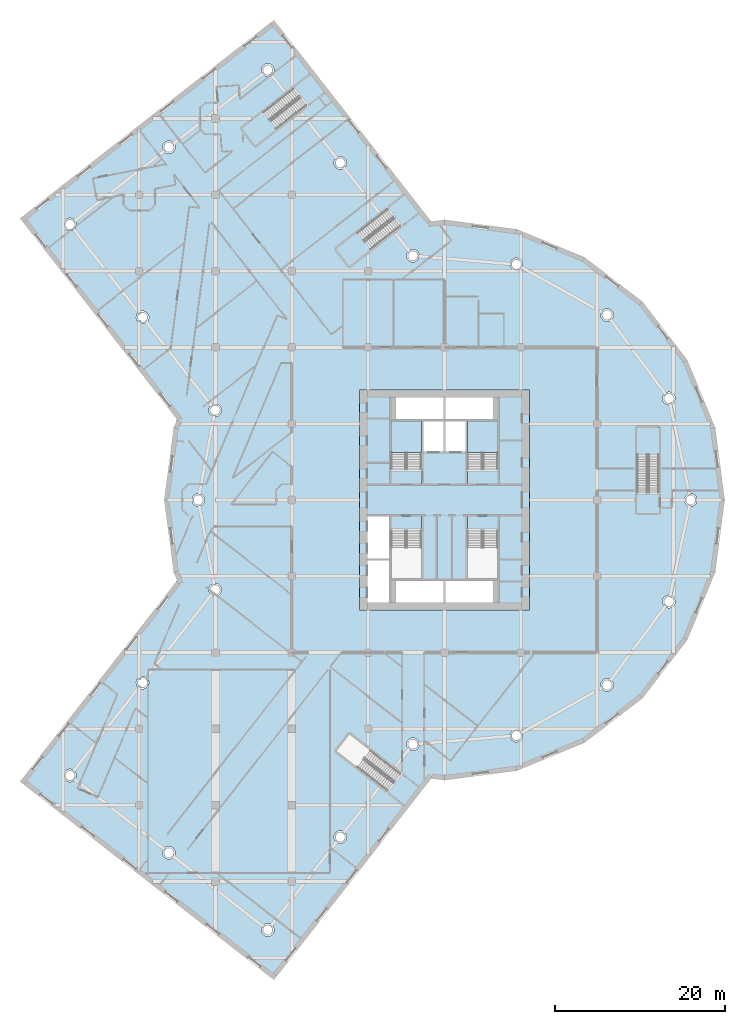
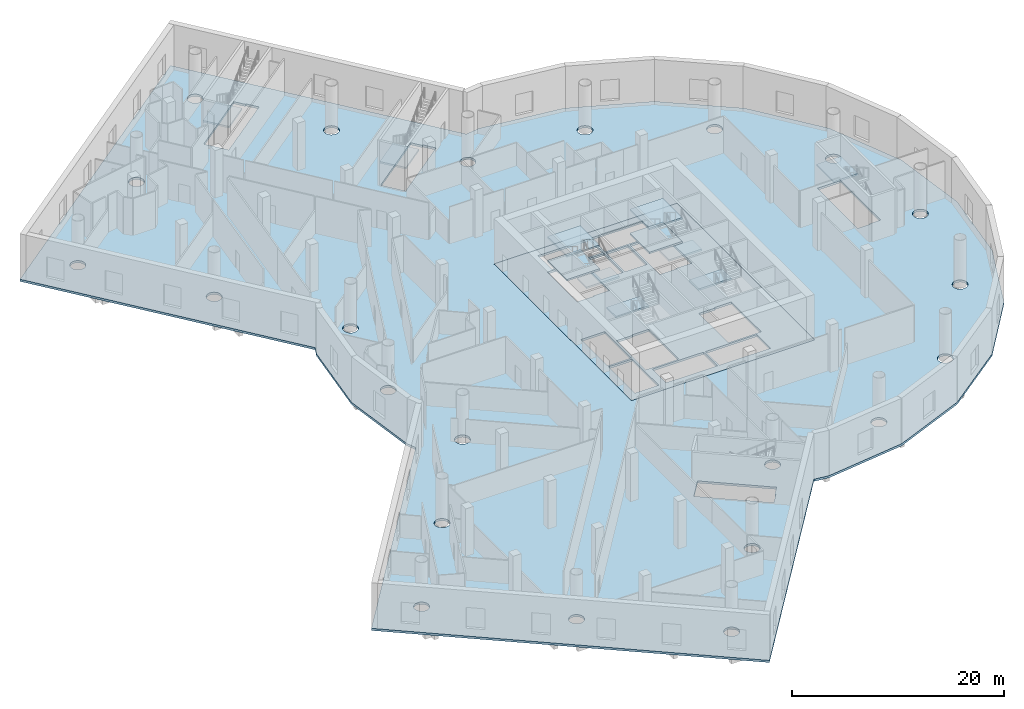
# One storey, part 3 of 23: 13 slabs, 7 elements without a shape of their own.
"""IFC4 building model written with IfcOpenShell, lengths in metres."""

import ifcopenshell
import ifcopenshell.guid

model = None  # the IFC model being written
_history = None  # IfcOwnerHistory: only IFC2X3 demands one
_inside = {}  # id of a spatial element -> (the spatial element, [elements in it])
_under = {}  # id of a project, library or spatial element -> (it, [spatial elements below it])
_declared = {}  # id of a project -> (the project, [libraries it declares])
_typed = {}  # id of a type object -> (the type object, [elements of that type])
_made_of = {}  # id of a material, layer set ... -> (it, [elements and type objects made of it])


def new_model(schema):
    """Start an empty IFC model of exactly this schema.

    Asked for "IFC4X3", IfcOpenShell would pick the latest addendum, in which some entities
    have other attributes; the version numbers below select the first issue.
    IFC2X3 requires an IfcOwnerHistory on every rooted entity: one is made here for all.
    """
    global model, _history
    if schema == "IFC4X3":
        model = ifcopenshell.file(schema_version=(4, 3, 0, 0))
    else:
        model = ifcopenshell.file(schema=schema)
    _inside.clear()
    _under.clear()
    _declared.clear()
    _typed.clear()
    _made_of.clear()
    _history = None
    if model.schema == "IFC2X3":
        org = make("IfcOrganization", Name="unknown")
        user = make(
            "IfcPersonAndOrganization",
            ThePerson=make("IfcPerson", FamilyName="unknown"),
            TheOrganization=org,
        )
        app = make(
            "IfcApplication",
            ApplicationDeveloper=org,
            Version="unknown",
            ApplicationFullName="unknown",
            ApplicationIdentifier="unknown",
        )
        _history = make(
            "IfcOwnerHistory",
            OwningUser=user,
            OwningApplication=app,
            ChangeAction="ADDED",
            CreationDate=0,
        )
    return model


def make(cls, **values):
    """One entity of the class cls with the attributes given. An attribute that is None is left unset."""
    return model.create_entity(
        cls, **{name: value for name, value in values.items() if value is not None}
    )


def rooted(cls, **values):
    """An entity with a GlobalId (a new one), such as an element, a storey or a relation."""
    return make(cls, GlobalId=ifcopenshell.guid.new(), OwnerHistory=_history, **values)


def si_unit(unit_type, name, prefix=None):
    """IfcSIUnit, for example si_unit("LENGTHUNIT", "METRE", prefix="MILLI")."""
    return make("IfcSIUnit", UnitType=unit_type, Prefix=prefix, Name=name)


def assignment(units):
    """IfcUnitAssignment: the units of a project."""
    return None if units is None else make("IfcUnitAssignment", Units=units)


def point(xyz):
    """IfcCartesianPoint."""
    return None if xyz is None else make("IfcCartesianPoint", Coordinates=xyz)


def direction(xyz):
    """IfcDirection."""
    return None if xyz is None else make("IfcDirection", DirectionRatios=xyz)


def frame(location, z_axis=None, x_axis=None):
    """IfcAxis2Placement3D, a coordinate frame: its origin and axes. An axis left out is left unset."""
    return make(
        "IfcAxis2Placement3D",
        Location=point(location),
        Axis=direction(z_axis),
        RefDirection=direction(x_axis),
    )


def origin():
    """The frame at (0, 0, 0) with its axes left unset."""
    return frame((0.0, 0.0, 0.0))


def place(relative_to, where):
    """IfcLocalPlacement: puts the frame where relative to a parent placement (None: the world)."""
    return make(
        "IfcLocalPlacement", PlacementRelTo=relative_to, RelativePlacement=where
    )


def context(
    kind, dimensions, precision=None, world=None, true_north=None, identifier=None
):
    """IfcGeometricRepresentationContext, for example the 3D "Model" context."""
    return make(
        "IfcGeometricRepresentationContext",
        ContextIdentifier=identifier,
        ContextType=kind,
        CoordinateSpaceDimension=dimensions,
        Precision=precision,
        WorldCoordinateSystem=world,
        TrueNorth=true_north,
    )


def subcontext(parent, identifier, kind, view, scale=None):
    """IfcGeometricRepresentationSubContext, for example "Body" below "Model"."""
    return make(
        "IfcGeometricRepresentationSubContext",
        ContextIdentifier=identifier,
        ContextType=kind,
        ParentContext=parent,
        TargetScale=scale,
        TargetView=view,
    )


def project(units=None, contexts=None):
    """IfcProject with its units and contexts."""
    return rooted(
        "IfcProject",
        Name="project",
        RepresentationContexts=contexts,
        UnitsInContext=assignment(units),
    )


def spatial(cls, under=None, at=None, **own):
    """A site, building, storey or space (cls), placed at a placement, below another one or the project."""
    s = rooted(cls, ObjectPlacement=at, **own)
    if under is not None:
        _under.setdefault(under.id(), (under, []))[1].append(s)
    return s


def polyline(points):
    """IfcPolyline through the points."""
    return make("IfcPolyline", Points=[point(p) for p in points])


def outline(outer, holes=None, kind="AREA"):
    """IfcArbitraryClosedProfileDef: a profile drawn as a closed curve; with holes, ...WithVoids."""
    if holes is None:
        return make("IfcArbitraryClosedProfileDef", ProfileType=kind, OuterCurve=outer)
    return make(
        "IfcArbitraryProfileDefWithVoids",
        ProfileType=kind,
        OuterCurve=outer,
        InnerCurves=holes,
    )


def extrude(swept, where, along, depth):
    """IfcExtrudedAreaSolid: the profile swept, set in the frame where, extruded along a direction by depth."""
    return make(
        "IfcExtrudedAreaSolid",
        SweptArea=swept,
        Position=where,
        ExtrudedDirection=direction(along),
        Depth=depth,
    )


def shape(context_of_items, identifier, shape_type, items):
    """IfcShapeRepresentation: the items that make up one representation, for example the "Body"."""
    return make(
        "IfcShapeRepresentation",
        ContextOfItems=context_of_items,
        RepresentationIdentifier=identifier,
        RepresentationType=shape_type,
        Items=items,
    )


def material(Name=None, Category=None):
    """IfcMaterial."""
    return make("IfcMaterial", Name=Name, Category=Category)


def layer(
    of_material, thickness, ventilated=None, Name=None, Category=None, Priority=None
):
    """IfcMaterialLayer: one layer of a wall or slab, of a material (None: an air gap)."""
    return make(
        "IfcMaterialLayer",
        Material=of_material,
        LayerThickness=thickness,
        IsVentilated=ventilated,
        Name=Name,
        Category=Category,
        Priority=Priority,
    )


def layer_set(layers, Name=None):
    """IfcMaterialLayerSet."""
    return make("IfcMaterialLayerSet", MaterialLayers=layers, LayerSetName=Name)


def made_of(thing, what):
    """Note that an element or type object is made of a material, layer set ...; save() writes the relation."""
    if what is not None:
        _made_of.setdefault(what.id(), (what, []))[1].append(thing)
    return thing


def type_object(cls, material=None, **own):
    """A type object (cls), such as IfcWallType, which elements share."""
    return made_of(rooted(cls, **own), material)


def element(
    cls,
    number,
    at=None,
    inside=None,
    cuts=None,
    type_object=None,
    material=None,
    context=None,
    identifier="Body",
    shape_type=None,
    held_by="IfcProductDefinitionShape",
    body=None,
    shapes=None,
    **own,
):
    """One element of the class cls, such as IfcWall. Its Tag is "e" and its number.

    at: its placement. inside: the storey or other place that contains it. cuts: it is an
    opening in that element (IfcRelVoidsElement). A single representation is given by context,
    identifier, shape_type and body (its items); several are given by shapes. held_by: the class
    of the entity that holds the representations. save() writes the other relations.
    """
    e = rooted(cls, Tag="e%d" % number, ObjectPlacement=at, **own)
    if body is not None:
        shapes = [shape(context, identifier, shape_type, body)]
    if shapes is not None:
        e.Representation = make(held_by, Representations=shapes)
    if inside is not None:
        _inside.setdefault(inside.id(), (inside, []))[1].append(e)
    if cuts is not None:
        rooted(
            "IfcRelVoidsElement", RelatingBuildingElement=cuts, RelatedOpeningElement=e
        )
    if type_object is not None:
        _typed.setdefault(type_object.id(), (type_object, []))[1].append(e)
    return made_of(e, material)


def aggregate(whole, parts):
    """IfcRelAggregates: a whole, such as a stair, and the parts it consists of."""
    return rooted("IfcRelAggregates", RelatingObject=whole, RelatedObjects=parts)


def save(model, path):
    """Write the relations noted so far, then the file.

    IfcRelAggregates (storeys below a building ...), IfcRelContainedInSpatialStructure (elements
    in a storey), IfcRelDefinesByType, IfcRelAssociatesMaterial and IfcRelDeclares: one each for
    every whole, place, type object, material and project.
    """
    for whole, parts in _under.values():
        aggregate(whole, parts)
    for where, things in _inside.values():
        rooted(
            "IfcRelContainedInSpatialStructure",
            RelatedElements=things,
            RelatingStructure=where,
        )
    for kind, things in _typed.values():
        rooted("IfcRelDefinesByType", RelatedObjects=things, RelatingType=kind)
    for what, things in _made_of.values():
        rooted("IfcRelAssociatesMaterial", RelatedObjects=things, RelatingMaterial=what)
    for by, libraries in _declared.values():
        rooted("IfcRelDeclares", RelatingContext=by, RelatedDefinitions=libraries)
    model.write(path)


model = new_model("IFC4")

# Units and contexts
model_context = context("Model", 3, precision=1e-05, world=origin(), true_north=direction((0.0, 1.0)))
body_context = subcontext(model_context, "Body", "Model", "MODEL_VIEW")
ifc_project = project(units=[si_unit("LENGTHUNIT", "METRE"), si_unit("AREAUNIT", "SQUARE_METRE"), si_unit("VOLUMEUNIT", "CUBIC_METRE"), si_unit("PLANEANGLEUNIT", "RADIAN"), si_unit("MASSUNIT", "GRAM", prefix="KILO")], contexts=[model_context])

# Site, building, storey
site_placement = place(None, origin())
site = spatial("IfcSite", under=ifc_project, at=site_placement, CompositionType="ELEMENT")
building_placement = place(site_placement, origin())
building = spatial("IfcBuilding", under=site, at=building_placement, Name="Tarsis Ring Headquarters", CompositionType="ELEMENT")
storey_placement = place(building_placement, frame((0.0, 0.0, 14.0)))
storey = spatial("IfcBuildingStorey", under=building, at=storey_placement, Name="L02", CompositionType="ELEMENT", Elevation=14.0)

# Slab
ifc_material_1 = material(Name="Concrete C40/50", Category="concrete")
ifc_layer_1 = layer(ifc_material_1, 0.25)
ifc_layer_set_1 = layer_set([ifc_layer_1], Name="Core floor slab 250 C40/50")
slab_type_1 = type_object("IfcSlabType", Name="Core floor slab 250 C40/50", PredefinedType="FLOOR", material=ifc_layer_set_1)
slab_1_placement = place(storey_placement, frame((0.0, 0.0, -0.25)))
element("IfcSlab", 1, at=slab_1_placement, inside=storey, type_object=slab_type_1, Name="L02 core floor slab", PredefinedType="FLOOR", context=body_context, shape_type="SweptSolid", body=[
    extrude(outline(polyline([(-10.0, -13.0), (10.0, -13.0), (10.0, 13.0), (-10.0, 13.0), (-10.0, -13.0)]), holes=[polyline([(-2.5, 5.699951171875), (-0.10009765625, 5.699951171875), (-0.10009765625, 9.300048828125), (-2.5, 9.300048828125), (-2.5, 5.699951171875)]), polyline([(0.10009765625, 5.699951171875), (2.5, 5.699951171875), (2.5, 9.300048828125), (0.10009765625, 9.300048828125), (0.10009765625, 5.699951171875)]), polyline([(-9.10009765625, -12.10009765625), (-6.5, -12.10009765625), (-6.5, -7.10009765625), (-9.10009765625, -7.10009765625), (-9.10009765625, -12.10009765625)]), polyline([(-9.10009765625, -6.89990234375), (-6.5, -6.89990234375), (-6.5, -1.89990234375), (-9.10009765625, -1.89990234375), (-9.10009765625, -6.89990234375)]), polyline([(-5.699951171875, 9.5), (-0.10009765625, 9.5), (-0.10009765625, 12.10009765625), (-5.699951171875, 12.10009765625), (-5.699951171875, 9.5)]), polyline([(0.10009765625, 9.5), (5.699951171875, 9.5), (5.699951171875, 12.10009765625), (0.10009765625, 12.10009765625), (0.10009765625, 9.5)]), polyline([(-5.699951171875, -12.10009765625), (-0.10009765625, -12.10009765625), (-0.10009765625, -9.5), (-5.699951171875, -9.5), (-5.699951171875, -12.10009765625)]), polyline([(0.10009765625, -12.10009765625), (5.699951171875, -12.10009765625), (5.699951171875, -9.5), (0.10009765625, -9.5), (0.10009765625, -12.10009765625)]), polyline([(-2.699951171875, 3.760009765625), (-2.699951171875, 9.300048828125), (-6.300048828125, 9.300048828125), (-6.300048828125, 3.659912109375), (-4.4599609375, 3.659912109375), (-4.4599609375, 3.760009765625), (-2.699951171875, 3.760009765625)]), polyline([(6.300048828125, 3.760009765625), (6.300048828125, 9.300048828125), (2.699951171875, 9.300048828125), (2.699951171875, 3.659912109375), (4.5400390625, 3.659912109375), (4.5400390625, 3.760009765625), (6.300048828125, 3.760009765625)]), polyline([(-6.300048828125, -3.760009765625), (-6.300048828125, -9.300048828125), (-2.699951171875, -9.300048828125), (-2.699951171875, -3.659912109375), (-4.5400390625, -3.659912109375), (-4.5400390625, -3.760009765625), (-6.300048828125, -3.760009765625)]), polyline([(2.699951171875, -3.760009765625), (2.699951171875, -9.300048828125), (6.300048828125, -9.300048828125), (6.300048828125, -3.659912109375), (4.4599609375, -3.659912109375), (4.4599609375, -3.760009765625), (2.699951171875, -3.760009765625)])]), origin(), (0.0, 0.0, 1.0), 0.25),
])

# Stair, slabs
ifc_material_2 = material(Name="Core stair 1760")
stair_type_1 = type_object("IfcStairType", Name="Core stair 1760", PredefinedType="HALF_TURN_STAIR", material=ifc_material_2)
stair_1_placement = place(storey_placement, origin())
stair_1 = element("IfcStair", 2, at=stair_1_placement, inside=storey, type_object=stair_type_1, Name="L02 Firefighting stair", PredefinedType="HALF_TURN_STAIR")
ifc_layer_2 = layer(ifc_material_1, 0.199951171875)
ifc_layer_set_2 = layer_set([ifc_layer_2], Name="Core stair landing 200")
slab_type_2 = type_object("IfcSlabType", Name="Core stair landing 200", PredefinedType="LANDING", material=ifc_layer_set_2)
slab_2_placement = place(storey_placement, frame((0.0, 0.0, 1.175048828125)))
slab_2 = element("IfcSlab", 3, at=slab_2_placement, type_object=slab_type_2, Name="Stair ST1 landing 1", PredefinedType="LANDING", context=body_context, shape_type="SweptSolid", body=[
    extrude(outline(polyline([(-2.699951171875, 5.6201171875), (-2.699951171875, 9.300048828125), (-6.300048828125, 9.300048828125), (-6.300048828125, 5.6201171875), (-2.699951171875, 5.6201171875)])), origin(), (0.0, 0.0, 1.0), 0.199951171875),
])
slab_3_placement = place(storey_placement, frame((0.0, 0.0, 2.550048828125)))
slab_3 = element("IfcSlab", 4, at=slab_3_placement, type_object=slab_type_2, Name="Stair ST1 landing 2", PredefinedType="LANDING", context=body_context, shape_type="SweptSolid", body=[
    extrude(outline(polyline([(-2.699951171875, 1.89990234375), (-2.699951171875, 3.659912109375), (-6.300048828125, 3.659912109375), (-6.300048828125, 1.89990234375), (-2.699951171875, 1.89990234375)])), origin(), (0.0, 0.0, 1.0), 0.199951171875),
])
slab_4_placement = place(storey_placement, frame((0.0, 0.0, 3.925048828125)))
slab_4 = element("IfcSlab", 5, at=slab_4_placement, type_object=slab_type_2, Name="Stair ST1 landing 3", PredefinedType="LANDING", context=body_context, shape_type="SweptSolid", body=[
    extrude(outline(polyline([(-2.699951171875, 5.6201171875), (-2.699951171875, 9.300048828125), (-6.300048828125, 9.300048828125), (-6.300048828125, 5.6201171875), (-2.699951171875, 5.6201171875)])), origin(), (0.0, 0.0, 1.0), 0.199951171875),
])
aggregate(stair_1, [slab_2, slab_3, slab_4])

stair_2_placement = place(storey_placement, origin())
stair_2 = element("IfcStair", 6, at=stair_2_placement, inside=storey, type_object=stair_type_1, Name="L02 Exit stair B", PredefinedType="HALF_TURN_STAIR")
slab_5_placement = place(storey_placement, frame((0.0, 0.0, 1.175048828125)))
slab_5 = element("IfcSlab", 7, at=slab_5_placement, type_object=slab_type_2, Name="Stair ST2 landing 1", PredefinedType="LANDING", context=body_context, shape_type="SweptSolid", body=[
    extrude(outline(polyline([(6.300048828125, 5.6201171875), (6.300048828125, 9.300048828125), (2.699951171875, 9.300048828125), (2.699951171875, 5.6201171875), (6.300048828125, 5.6201171875)])), origin(), (0.0, 0.0, 1.0), 0.199951171875),
])
slab_6_placement = place(storey_placement, frame((0.0, 0.0, 2.550048828125)))
slab_6 = element("IfcSlab", 8, at=slab_6_placement, type_object=slab_type_2, Name="Stair ST2 landing 2", PredefinedType="LANDING", context=body_context, shape_type="SweptSolid", body=[
    extrude(outline(polyline([(6.300048828125, 1.89990234375), (6.300048828125, 3.659912109375), (2.699951171875, 3.659912109375), (2.699951171875, 1.89990234375), (6.300048828125, 1.89990234375)])), origin(), (0.0, 0.0, 1.0), 0.199951171875),
])
slab_7_placement = place(storey_placement, frame((0.0, 0.0, 3.925048828125)))
slab_7 = element("IfcSlab", 9, at=slab_7_placement, type_object=slab_type_2, Name="Stair ST2 landing 3", PredefinedType="LANDING", context=body_context, shape_type="SweptSolid", body=[
    extrude(outline(polyline([(6.300048828125, 5.6201171875), (6.300048828125, 9.300048828125), (2.699951171875, 9.300048828125), (2.699951171875, 5.6201171875), (6.300048828125, 5.6201171875)])), origin(), (0.0, 0.0, 1.0), 0.199951171875),
])
aggregate(stair_2, [slab_5, slab_6, slab_7])

# Stair, slab
stair_3_placement = place(storey_placement, origin())
stair_3 = element("IfcStair", 10, at=stair_3_placement, inside=storey, type_object=stair_type_1, Name="L02 Exit stair C", PredefinedType="HALF_TURN_STAIR")
slab_8_placement = place(storey_placement, frame((0.0, 0.0, 2.550048828125)))
slab_8 = element("IfcSlab", 11, at=slab_8_placement, type_object=slab_type_2, Name="Stair ST3 landing 2", PredefinedType="LANDING", context=body_context, shape_type="SweptSolid", body=[
    extrude(outline(polyline([(-6.300048828125, -1.89990234375), (-6.300048828125, -3.659912109375), (-2.699951171875, -3.659912109375), (-2.699951171875, -1.89990234375), (-6.300048828125, -1.89990234375)])), origin(), (0.0, 0.0, 1.0), 0.199951171875),
])
aggregate(stair_3, [slab_8])

stair_4_placement = place(storey_placement, origin())
stair_4 = element("IfcStair", 12, at=stair_4_placement, inside=storey, type_object=stair_type_1, Name="L02 Exit stair D", PredefinedType="HALF_TURN_STAIR")
slab_9_placement = place(storey_placement, frame((0.0, 0.0, 2.550048828125)))
slab_9 = element("IfcSlab", 13, at=slab_9_placement, type_object=slab_type_2, Name="Stair ST4 landing 2", PredefinedType="LANDING", context=body_context, shape_type="SweptSolid", body=[
    extrude(outline(polyline([(2.699951171875, -1.89990234375), (2.699951171875, -3.659912109375), (6.300048828125, -3.659912109375), (6.300048828125, -1.89990234375), (2.699951171875, -1.89990234375)])), origin(), (0.0, 0.0, 1.0), 0.199951171875),
])
aggregate(stair_4, [slab_9])

# Slab
ifc_layer_3 = layer(ifc_material_1, 0.25)
ifc_layer_set_3 = layer_set([ifc_layer_3], Name="PO-S250")
slab_type_3 = type_object("IfcSlabType", Name="PO-S250", PredefinedType="FLOOR", material=ifc_layer_set_3)
slab_10_placement = place(storey_placement, frame((0.0, 0.0, -0.25)))
element("IfcSlab", 14, at=slab_10_placement, inside=storey, type_object=slab_type_3, Name="L02 podium floor slab", PredefinedType="FLOOR", context=body_context, shape_type="SweptSolid", body=[
    extrude(outline(polyline([(-50.06494140625, 33.218994140625), (-31.539794921875, 9.508056640625), (-31.933837890625, 8.556640625), (-33.060302734375, 0.0), (-31.933837890625, -8.556640625), (-31.539794921875, -9.508056640625), (-50.06494140625, -33.218994140625), (-20.12060546875, -56.6142578125), (-1.55810546875, -32.855224609375), (0.0, -33.060302734375), (8.556640625, -31.933837890625), (16.5302734375, -28.631103515625), (23.377197265625, -23.377197265625), (28.631103515625, -16.5302734375), (31.933837890625, -8.556640625), (33.060302734375, 0.0), (31.933837890625, 8.556640625), (28.631103515625, 16.5302734375), (23.377197265625, 23.377197265625), (16.5302734375, 28.631103515625), (8.556640625, 31.933837890625), (0.0, 33.060302734375), (-1.55810546875, 32.855224609375), (-20.12060546875, 56.6142578125), (-50.06494140625, 33.218994140625)]), holes=[polyline([(-20.844482421875, -51.46875), (-21.03857421875, -51.443115234375), (-21.219482421875, -51.3681640625), (-21.374755859375, -51.2490234375), (-21.493896484375, -51.09375), (-21.56884765625, -50.912841796875), (-21.594482421875, -50.71875), (-21.56884765625, -50.524658203125), (-21.493896484375, -50.34375), (-21.374755859375, -50.1884765625), (-21.219482421875, -50.0693359375), (-21.03857421875, -49.994384765625), (-20.844482421875, -49.96875), (-20.650146484375, -49.994384765625), (-20.469482421875, -50.0693359375), (-20.31396484375, -50.1884765625), (-20.19482421875, -50.34375), (-20.119873046875, -50.524658203125), (-20.094482421875, -50.71875), (-20.119873046875, -50.912841796875), (-20.19482421875, -51.09375), (-20.31396484375, -51.2490234375), (-20.469482421875, -51.3681640625), (-20.650146484375, -51.443115234375), (-20.844482421875, -51.46875)]), polyline([(-32.700927734375, -42.331298828125), (-32.8818359375, -42.256591796875), (-33.037353515625, -42.13720703125), (-33.156494140625, -41.98193359375), (-33.2314453125, -41.801025390625), (-33.2568359375, -41.60693359375), (-33.2314453125, -41.412841796875), (-33.156494140625, -41.23193359375), (-33.037353515625, -41.07666015625), (-32.8818359375, -40.95751953125), (-32.700927734375, -40.882568359375), (-32.5068359375, -40.85693359375), (-32.312744140625, -40.882568359375), (-32.1318359375, -40.95751953125), (-31.9765625, -41.07666015625), (-31.857421875, -41.23193359375), (-31.782470703125, -41.412841796875), (-31.7568359375, -41.60693359375), (-31.782470703125, -41.801025390625), (-31.857421875, -41.98193359375), (-31.9765625, -42.13720703125), (-32.1318359375, -42.256591796875), (-32.312744140625, -42.331298828125), (-32.5068359375, -42.35693359375), (-32.700927734375, -42.331298828125)]), polyline([(-12.4794921875, -40.488037109375), (-12.660400390625, -40.4130859375), (-12.815673828125, -40.2939453125), (-12.934814453125, -40.138671875), (-13.009765625, -39.957763671875), (-13.035400390625, -39.763671875), (-13.009765625, -39.569580078125), (-12.934814453125, -39.388671875), (-12.815673828125, -39.2333984375), (-12.660400390625, -39.114013671875), (-12.4794921875, -39.039306640625), (-12.285400390625, -39.013671875), (-12.091064453125, -39.039306640625), (-11.910400390625, -39.114013671875), (-11.7548828125, -39.2333984375), (-11.6357421875, -39.388671875), (-11.560791015625, -39.569580078125), (-11.535400390625, -39.763671875), (-11.560791015625, -39.957763671875), (-11.6357421875, -40.138671875), (-11.7548828125, -40.2939453125), (-11.910400390625, -40.4130859375), (-12.091064453125, -40.488037109375), (-12.285400390625, -40.513671875), (-12.4794921875, -40.488037109375)]), polyline([(-44.16943359375, -33.2451171875), (-44.363525390625, -33.2197265625), (-44.54443359375, -33.144775390625), (-44.69970703125, -33.025390625), (-44.819091796875, -32.8701171875), (-44.89404296875, -32.689208984375), (-44.91943359375, -32.4951171875), (-44.89404296875, -32.301025390625), (-44.819091796875, -32.1201171875), (-44.69970703125, -31.96484375), (-44.54443359375, -31.845703125), (-44.363525390625, -31.770751953125), (-44.16943359375, -31.7451171875), (-43.975341796875, -31.770751953125), (-43.79443359375, -31.845703125), (-43.63916015625, -31.96484375), (-43.52001953125, -32.1201171875), (-43.445068359375, -32.301025390625), (-43.41943359375, -32.4951171875), (-43.445068359375, -32.689208984375), (-43.52001953125, -32.8701171875), (-43.63916015625, -33.025390625), (-43.79443359375, -33.144775390625), (-43.975341796875, -33.2197265625), (-44.16943359375, -33.2451171875)]), polyline([(-35.804443359375, -22.264404296875), (-35.9853515625, -22.189697265625), (-36.140625, -22.0703125), (-36.260009765625, -21.9150390625), (-36.3349609375, -21.734130859375), (-36.3603515625, -21.5400390625), (-36.3349609375, -21.345947265625), (-36.260009765625, -21.1650390625), (-36.140625, -21.009765625), (-35.9853515625, -20.890625), (-35.804443359375, -20.815673828125), (-35.6103515625, -20.7900390625), (-35.416259765625, -20.815673828125), (-35.2353515625, -20.890625), (-35.080078125, -21.009765625), (-34.9609375, -21.1650390625), (-34.885986328125, -21.345947265625), (-34.8603515625, -21.5400390625), (-34.885986328125, -21.734130859375), (-34.9609375, -21.9150390625), (-35.080078125, -22.0703125), (-35.2353515625, -22.189697265625), (-35.416259765625, -22.264404296875), (-35.6103515625, -22.2900390625), (-35.804443359375, -22.264404296875)]), polyline([(-27.245361328125, -11.309326171875), (-27.42626953125, -11.234375), (-27.581787109375, -11.115234375), (-27.700927734375, -10.9599609375), (-27.77587890625, -10.779052734375), (-27.80126953125, -10.5849609375), (-27.77587890625, -10.390869140625), (-27.700927734375, -10.2099609375), (-27.581787109375, -10.0546875), (-27.42626953125, -9.935546875), (-27.245361328125, -9.860595703125), (-27.05126953125, -9.8349609375), (-26.857177734375, -9.860595703125), (-26.67626953125, -9.935546875), (-26.52099609375, -10.0546875), (-26.40185546875, -10.2099609375), (-26.326904296875, -10.390869140625), (-26.30126953125, -10.5849609375), (-26.326904296875, -10.779052734375), (-26.40185546875, -10.9599609375), (-26.52099609375, -11.115234375), (-26.67626953125, -11.234375), (-26.857177734375, -11.309326171875), (-27.05126953125, -11.3349609375), (-27.245361328125, -11.309326171875)]), polyline([(-29.048583984375, -0.75), (-29.24267578125, -0.724365234375), (-29.423583984375, -0.6494140625), (-29.578857421875, -0.5302734375), (-29.697998046875, -0.375), (-29.77294921875, -0.194091796875), (-29.798583984375, 0.0), (-29.77294921875, 0.194091796875), (-29.697998046875, 0.375), (-29.578857421875, 0.5302734375), (-29.423583984375, 0.6494140625), (-29.24267578125, 0.724365234375), (-29.048583984375, 0.75), (-28.8544921875, 0.724365234375), (-28.673583984375, 0.6494140625), (-28.51806640625, 0.5302734375), (-28.39892578125, 0.375), (-28.323974609375, 0.194091796875), (-28.298583984375, 0.0), (-28.323974609375, -0.194091796875), (-28.39892578125, -0.375), (-28.51806640625, -0.5302734375), (-28.673583984375, -0.6494140625), (-28.8544921875, -0.724365234375), (-29.048583984375, -0.75)]), polyline([(-27.245361328125, 9.860595703125), (-27.42626953125, 9.935546875), (-27.581787109375, 10.0546875), (-27.700927734375, 10.2099609375), (-27.77587890625, 10.390869140625), (-27.80126953125, 10.5849609375), (-27.77587890625, 10.779052734375), (-27.700927734375, 10.9599609375), (-27.581787109375, 11.115234375), (-27.42626953125, 11.234375), (-27.245361328125, 11.309326171875), (-27.05126953125, 11.3349609375), (-26.857177734375, 11.309326171875), (-26.67626953125, 11.234375), (-26.52099609375, 11.115234375), (-26.40185546875, 10.9599609375), (-26.326904296875, 10.779052734375), (-26.30126953125, 10.5849609375), (-26.326904296875, 10.390869140625), (-26.40185546875, 10.2099609375), (-26.52099609375, 10.0546875), (-26.67626953125, 9.935546875), (-26.857177734375, 9.860595703125), (-27.05126953125, 9.8349609375), (-27.245361328125, 9.860595703125)]), polyline([(-35.804443359375, 20.815673828125), (-35.9853515625, 20.890625), (-36.140625, 21.009765625), (-36.260009765625, 21.1650390625), (-36.3349609375, 21.345947265625), (-36.3603515625, 21.5400390625), (-36.3349609375, 21.734130859375), (-36.260009765625, 21.9150390625), (-36.140625, 22.0703125), (-35.9853515625, 22.189697265625), (-35.804443359375, 22.264404296875), (-35.6103515625, 22.2900390625), (-35.416259765625, 22.264404296875), (-35.2353515625, 22.189697265625), (-35.080078125, 22.0703125), (-34.9609375, 21.9150390625), (-34.885986328125, 21.734130859375), (-34.8603515625, 21.5400390625), (-34.885986328125, 21.345947265625), (-34.9609375, 21.1650390625), (-35.080078125, 21.009765625), (-35.2353515625, 20.890625), (-35.416259765625, 20.815673828125), (-35.6103515625, 20.7900390625), (-35.804443359375, 20.815673828125)]), polyline([(-44.363525390625, 31.770751953125), (-44.54443359375, 31.845703125), (-44.69970703125, 31.96484375), (-44.819091796875, 32.1201171875), (-44.89404296875, 32.301025390625), (-44.91943359375, 32.4951171875), (-44.89404296875, 32.689208984375), (-44.819091796875, 32.8701171875), (-44.69970703125, 33.025390625), (-44.54443359375, 33.144775390625), (-44.363525390625, 33.2197265625), (-44.16943359375, 33.2451171875), (-43.975341796875, 33.2197265625), (-43.79443359375, 33.144775390625), (-43.63916015625, 33.025390625), (-43.52001953125, 32.8701171875), (-43.445068359375, 32.689208984375), (-43.41943359375, 32.4951171875), (-43.445068359375, 32.301025390625), (-43.52001953125, 32.1201171875), (-43.63916015625, 31.96484375), (-43.79443359375, 31.845703125), (-43.975341796875, 31.770751953125), (-44.16943359375, 31.7451171875), (-44.363525390625, 31.770751953125)]), polyline([(-32.700927734375, 40.882568359375), (-32.8818359375, 40.95751953125), (-33.037353515625, 41.07666015625), (-33.156494140625, 41.23193359375), (-33.2314453125, 41.412841796875), (-33.2568359375, 41.60693359375), (-33.2314453125, 41.801025390625), (-33.156494140625, 41.98193359375), (-33.037353515625, 42.13720703125), (-32.8818359375, 42.256591796875), (-32.700927734375, 42.331298828125), (-32.5068359375, 42.35693359375), (-32.312744140625, 42.331298828125), (-32.1318359375, 42.256591796875), (-31.9765625, 42.13720703125), (-31.857421875, 41.98193359375), (-31.782470703125, 41.801025390625), (-31.7568359375, 41.60693359375), (-31.782470703125, 41.412841796875), (-31.857421875, 41.23193359375), (-31.9765625, 41.07666015625), (-32.1318359375, 40.95751953125), (-32.312744140625, 40.882568359375), (-32.5068359375, 40.85693359375), (-32.700927734375, 40.882568359375)]), polyline([(-17.197509765625, 47.5185546875), (-17.11865234375, 47.580078125), (-16.287841796875, 46.515869140625), (-22.310302734375, 41.81494140625), (-23.87939453125, 43.824951171875), (-17.935791015625, 48.464599609375), (-17.197509765625, 47.5185546875)]), polyline([(-21.03857421875, 49.994384765625), (-21.219482421875, 50.0693359375), (-21.374755859375, 50.1884765625), (-21.493896484375, 50.34375), (-21.56884765625, 50.524658203125), (-21.594482421875, 50.71875), (-21.56884765625, 50.912841796875), (-21.493896484375, 51.09375), (-21.374755859375, 51.2490234375), (-21.219482421875, 51.3681640625), (-21.03857421875, 51.443115234375), (-20.844482421875, 51.46875), (-20.650146484375, 51.443115234375), (-20.469482421875, 51.3681640625), (-20.31396484375, 51.2490234375), (-20.19482421875, 51.09375), (-20.119873046875, 50.912841796875), (-20.094482421875, 50.71875), (-20.119873046875, 50.524658203125), (-20.19482421875, 50.34375), (-20.31396484375, 50.1884765625), (-20.469482421875, 50.0693359375), (-20.650146484375, 49.994384765625), (-20.844482421875, 49.96875), (-21.03857421875, 49.994384765625)]), polyline([(-5.266845703125, -32.234375), (-6.005126953125, -33.180419921875), (-5.92626953125, -33.241943359375), (-6.757080078125, -34.305908203125), (-12.779541015625, -29.60498046875), (-11.21044921875, -27.594970703125), (-5.266845703125, -32.234375)]), polyline([(-3.92041015625, -29.532958984375), (-4.101318359375, -29.4580078125), (-4.256591796875, -29.3388671875), (-4.375732421875, -29.18359375), (-4.45068359375, -29.002685546875), (-4.476318359375, -28.80859375), (-4.45068359375, -28.614501953125), (-4.375732421875, -28.43359375), (-4.256591796875, -28.2783203125), (-4.101318359375, -28.158935546875), (-3.92041015625, -28.083984375), (-3.726318359375, -28.05859375), (-3.5322265625, -28.083984375), (-3.351318359375, -28.158935546875), (-3.19580078125, -28.2783203125), (-3.07666015625, -28.43359375), (-3.001708984375, -28.614501953125), (-2.976318359375, -28.80859375), (-3.001708984375, -29.002685546875), (-3.07666015625, -29.18359375), (-3.19580078125, -29.3388671875), (-3.351318359375, -29.4580078125), (-3.5322265625, -29.532958984375), (-3.726318359375, -29.55859375), (-3.92041015625, -29.532958984375)]), polyline([(8.28564453125, -28.5078125), (8.104736328125, -28.432861328125), (7.94921875, -28.313720703125), (7.830078125, -28.158203125), (7.755126953125, -27.977294921875), (7.729736328125, -27.783203125), (7.755126953125, -27.589111328125), (7.830078125, -27.408203125), (7.94921875, -27.2529296875), (8.104736328125, -27.1337890625), (8.28564453125, -27.058837890625), (8.479736328125, -27.033203125), (8.673828125, -27.058837890625), (8.854736328125, -27.1337890625), (9.010009765625, -27.2529296875), (9.129150390625, -27.408203125), (9.2041015625, -27.589111328125), (9.229736328125, -27.783203125), (9.2041015625, -27.977294921875), (9.129150390625, -28.158203125), (9.010009765625, -28.313720703125), (8.854736328125, -28.432861328125), (8.673828125, -28.5078125), (8.479736328125, -28.533203125), (8.28564453125, -28.5078125)]), polyline([(19.177734375, -22.568115234375), (18.983642578125, -22.54248046875), (18.802734375, -22.467529296875), (18.6474609375, -22.348388671875), (18.5283203125, -22.193115234375), (18.453369140625, -22.01220703125), (18.427734375, -21.818115234375), (18.453369140625, -21.6240234375), (18.5283203125, -21.443115234375), (18.6474609375, -21.287841796875), (18.802734375, -21.16845703125), (18.983642578125, -21.09375), (19.177734375, -21.068115234375), (19.371826171875, -21.09375), (19.552734375, -21.16845703125), (19.7080078125, -21.287841796875), (19.827392578125, -21.443115234375), (19.90234375, -21.6240234375), (19.927734375, -21.818115234375), (19.90234375, -22.01220703125), (19.827392578125, -22.193115234375), (19.7080078125, -22.348388671875), (19.552734375, -22.467529296875), (19.371826171875, -22.54248046875), (19.177734375, -22.568115234375)]), polyline([(26.27197265625, -12.697998046875), (26.091064453125, -12.623046875), (25.935791015625, -12.50390625), (25.81640625, -12.3486328125), (25.74169921875, -12.167724609375), (25.716064453125, -11.9736328125), (25.74169921875, -11.779296875), (25.81640625, -11.5986328125), (25.935791015625, -11.443115234375), (26.091064453125, -11.323974609375), (26.27197265625, -11.2490234375), (26.466064453125, -11.2236328125), (26.66015625, -11.2490234375), (26.841064453125, -11.323974609375), (26.996337890625, -11.443115234375), (27.115478515625, -11.5986328125), (27.1904296875, -11.779296875), (27.216064453125, -11.9736328125), (27.1904296875, -12.167724609375), (27.115478515625, -12.3486328125), (26.996337890625, -12.50390625), (26.841064453125, -12.623046875), (26.66015625, -12.697998046875), (26.466064453125, -12.7236328125), (26.27197265625, -12.697998046875)]), polyline([(28.8544921875, -0.724365234375), (28.673583984375, -0.6494140625), (28.51806640625, -0.5302734375), (28.39892578125, -0.375), (28.323974609375, -0.194091796875), (28.298583984375, 0.0), (28.323974609375, 0.194091796875), (28.39892578125, 0.375), (28.51806640625, 0.5302734375), (28.673583984375, 0.6494140625), (28.8544921875, 0.724365234375), (29.048583984375, 0.75), (29.24267578125, 0.724365234375), (29.423583984375, 0.6494140625), (29.578857421875, 0.5302734375), (29.697998046875, 0.375), (29.77294921875, 0.194091796875), (29.798583984375, 0.0), (29.77294921875, -0.194091796875), (29.697998046875, -0.375), (29.578857421875, -0.5302734375), (29.423583984375, -0.6494140625), (29.24267578125, -0.724365234375), (29.048583984375, -0.75), (28.8544921875, -0.724365234375)]), polyline([(25.27490234375, 0.97998046875), (24.074951171875, 0.97998046875), (24.074951171875, 0.8798828125), (22.72509765625, 0.8798828125), (22.72509765625, 8.52001953125), (25.27490234375, 8.52001953125), (25.27490234375, 0.97998046875)]), polyline([(26.27197265625, 11.2490234375), (26.091064453125, 11.323974609375), (25.935791015625, 11.443115234375), (25.81640625, 11.5986328125), (25.74169921875, 11.779296875), (25.716064453125, 11.9736328125), (25.74169921875, 12.167724609375), (25.81640625, 12.3486328125), (25.935791015625, 12.50390625), (26.091064453125, 12.623046875), (26.27197265625, 12.697998046875), (26.466064453125, 12.7236328125), (26.66015625, 12.697998046875), (26.841064453125, 12.623046875), (26.996337890625, 12.50390625), (27.115478515625, 12.3486328125), (27.1904296875, 12.167724609375), (27.216064453125, 11.9736328125), (27.1904296875, 11.779296875), (27.115478515625, 11.5986328125), (26.996337890625, 11.443115234375), (26.841064453125, 11.323974609375), (26.66015625, 11.2490234375), (26.466064453125, 11.2236328125), (26.27197265625, 11.2490234375)]), polyline([(18.983642578125, 21.09375), (18.802734375, 21.16845703125), (18.6474609375, 21.287841796875), (18.5283203125, 21.443115234375), (18.453369140625, 21.6240234375), (18.427734375, 21.818115234375), (18.453369140625, 22.01220703125), (18.5283203125, 22.193115234375), (18.6474609375, 22.348388671875), (18.802734375, 22.467529296875), (18.983642578125, 22.54248046875), (19.177734375, 22.568115234375), (19.371826171875, 22.54248046875), (19.552734375, 22.467529296875), (19.7080078125, 22.348388671875), (19.827392578125, 22.193115234375), (19.90234375, 22.01220703125), (19.927734375, 21.818115234375), (19.90234375, 21.6240234375), (19.827392578125, 21.443115234375), (19.7080078125, 21.287841796875), (19.552734375, 21.16845703125), (19.371826171875, 21.09375), (19.177734375, 21.068115234375), (18.983642578125, 21.09375)]), polyline([(8.28564453125, 27.058837890625), (8.104736328125, 27.1337890625), (7.94921875, 27.2529296875), (7.830078125, 27.408203125), (7.755126953125, 27.589111328125), (7.729736328125, 27.783203125), (7.755126953125, 27.977294921875), (7.830078125, 28.158203125), (7.94921875, 28.313720703125), (8.104736328125, 28.432861328125), (8.28564453125, 28.5078125), (8.479736328125, 28.533203125), (8.673828125, 28.5078125), (8.854736328125, 28.432861328125), (9.010009765625, 28.313720703125), (9.129150390625, 28.158203125), (9.2041015625, 27.977294921875), (9.229736328125, 27.783203125), (9.2041015625, 27.589111328125), (9.129150390625, 27.408203125), (9.010009765625, 27.2529296875), (8.854736328125, 27.1337890625), (8.673828125, 27.058837890625), (8.479736328125, 27.033203125), (8.28564453125, 27.058837890625)]), polyline([(-3.92041015625, 28.083984375), (-4.101318359375, 28.158935546875), (-4.256591796875, 28.2783203125), (-4.375732421875, 28.43359375), (-4.45068359375, 28.614501953125), (-4.476318359375, 28.80859375), (-4.45068359375, 29.002685546875), (-4.375732421875, 29.18359375), (-4.256591796875, 29.3388671875), (-4.101318359375, 29.4580078125), (-3.92041015625, 29.532958984375), (-3.726318359375, 29.55859375), (-3.5322265625, 29.532958984375), (-3.351318359375, 29.4580078125), (-3.19580078125, 29.3388671875), (-3.07666015625, 29.18359375), (-3.001708984375, 29.002685546875), (-2.976318359375, 28.80859375), (-3.001708984375, 28.614501953125), (-3.07666015625, 28.43359375), (-3.19580078125, 28.2783203125), (-3.351318359375, 28.158935546875), (-3.5322265625, 28.083984375), (-3.726318359375, 28.05859375), (-3.92041015625, 28.083984375)]), polyline([(-6.097412109375, 33.298583984375), (-6.0185546875, 33.360107421875), (-5.18798828125, 32.2958984375), (-11.21044921875, 27.594970703125), (-12.779541015625, 29.60498046875), (-6.8359375, 34.244384765625), (-6.097412109375, 33.298583984375)]), polyline([(-12.4794921875, 39.039306640625), (-12.660400390625, 39.114013671875), (-12.815673828125, 39.2333984375), (-12.934814453125, 39.388671875), (-13.009765625, 39.569580078125), (-13.035400390625, 39.763671875), (-13.009765625, 39.957763671875), (-12.934814453125, 40.138671875), (-12.815673828125, 40.2939453125), (-12.660400390625, 40.4130859375), (-12.4794921875, 40.488037109375), (-12.285400390625, 40.513671875), (-12.091064453125, 40.488037109375), (-11.910400390625, 40.4130859375), (-11.7548828125, 40.2939453125), (-11.6357421875, 40.138671875), (-11.560791015625, 39.957763671875), (-11.535400390625, 39.763671875), (-11.560791015625, 39.569580078125), (-11.6357421875, 39.388671875), (-11.7548828125, 39.2333984375), (-11.910400390625, 39.114013671875), (-12.091064453125, 39.039306640625), (-12.285400390625, 39.013671875), (-12.4794921875, 39.039306640625)]), polyline([(10.0, -13.0), (10.0, 13.0), (-10.0, 13.0), (-10.0, -13.0), (10.0, -13.0)])]), origin(), (0.0, 0.0, 1.0), 0.25),
])

# Stair, slab
stair_type_2 = type_object("IfcStairType", Name="PO-ST", PredefinedType="HALF_TURN_STAIR", material=ifc_material_1)
stair_5_placement = place(storey_placement, origin())
stair_5 = element("IfcStair", 15, at=stair_5_placement, inside=storey, type_object=stair_type_2, Name="L02 Podium stair", PredefinedType="HALF_TURN_STAIR")
ifc_layer_4 = layer(ifc_material_1, 0.199951171875)
ifc_layer_set_4 = layer_set([ifc_layer_4], Name="PO-STL")
slab_type_4 = type_object("IfcSlabType", Name="PO-STL", PredefinedType="LANDING", material=ifc_layer_set_4)
slab_11_placement = place(storey_placement, frame((0.0, 0.0, 2.550048828125)))
slab_11 = element("IfcSlab", 16, at=slab_11_placement, type_object=slab_type_4, Name="Stair PS1 landing 1", PredefinedType="LANDING", context=body_context, shape_type="SweptSolid", body=[
    extrude(outline(polyline([(25.3349609375, 5.300048828125), (25.3349609375, 8.580078125), (22.6650390625, 8.580078125), (22.6650390625, 5.300048828125), (25.3349609375, 5.300048828125)])), origin(), (0.0, 0.0, 1.0), 0.199951171875),
])
aggregate(stair_5, [slab_11])

stair_6_placement = place(storey_placement, origin())
stair_6 = element("IfcStair", 17, at=stair_6_placement, inside=storey, type_object=stair_type_2, Name="L02 Podium stair", PredefinedType="HALF_TURN_STAIR")
slab_12_placement = place(storey_placement, frame((0.0, 0.0, 2.550048828125)))
slab_12 = element("IfcSlab", 18, at=slab_12_placement, type_object=slab_type_4, Name="Stair PS3 landing 1", PredefinedType="LANDING", context=body_context, shape_type="SweptSolid", body=[
    extrude(outline(polyline([(-10.278076171875, 31.633544921875), (-12.86376953125, 29.615234375), (-11.220703125, 27.5107421875), (-8.63525390625, 29.52880859375), (-10.278076171875, 31.633544921875)])), origin(), (0.0, 0.0, 1.0), 0.199951171875),
])
aggregate(stair_6, [slab_12])

stair_7_placement = place(storey_placement, origin())
stair_7 = element("IfcStair", 19, at=stair_7_placement, inside=storey, type_object=stair_type_2, Name="L02 Podium stair", PredefinedType="HALF_TURN_STAIR")
slab_13_placement = place(storey_placement, frame((0.0, 0.0, 2.550048828125)))
slab_13 = element("IfcSlab", 20, at=slab_13_placement, type_object=slab_type_4, Name="Stair PS4 landing 1", PredefinedType="LANDING", context=body_context, shape_type="SweptSolid", body=[
    extrude(outline(polyline([(-21.378173828125, 45.853515625), (-23.963623046875, 43.83544921875), (-22.32080078125, 41.730712890625), (-19.735107421875, 43.7490234375), (-21.378173828125, 45.853515625)])), origin(), (0.0, 0.0, 1.0), 0.199951171875),
])
aggregate(stair_7, [slab_13])

save(model, "model.ifc")
